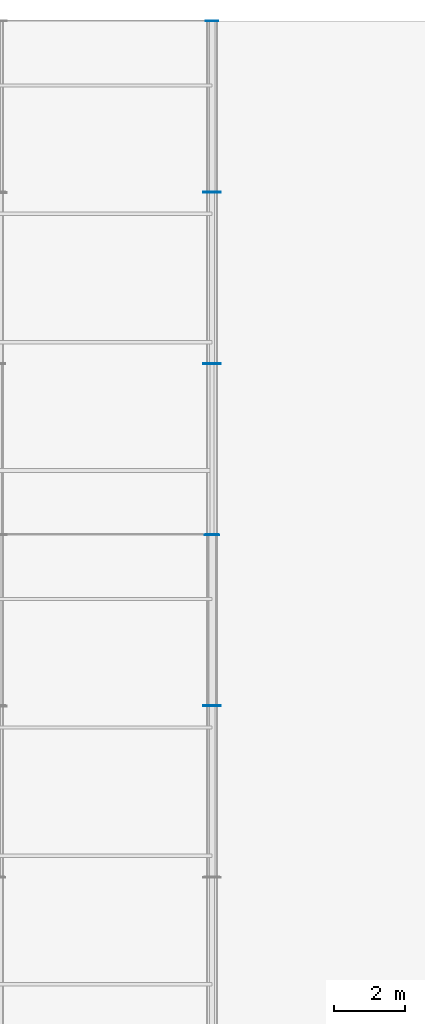
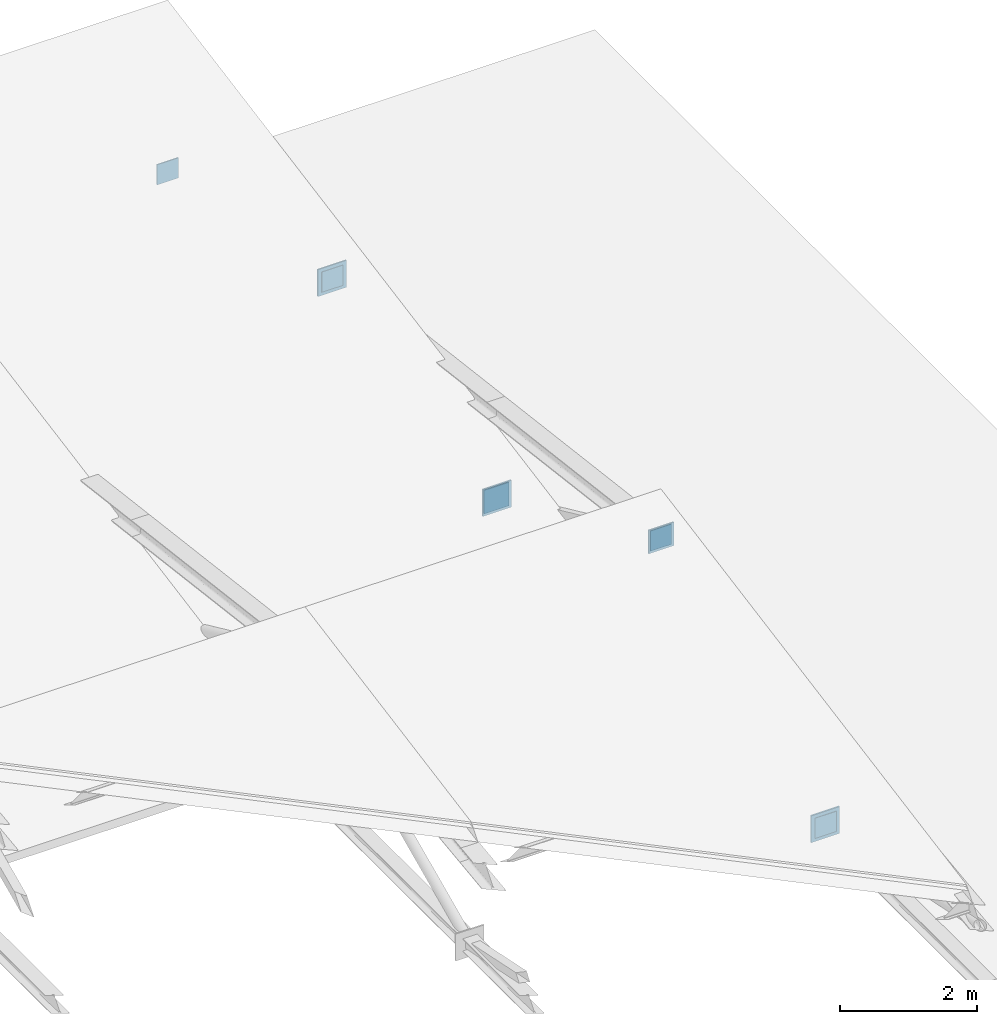
# One storey, part 19 of 32: 9 plates.
"""IFC4 building model written with IfcOpenShell, lengths in metres."""

from ifc_helpers import new_model, si_unit, direction, frame, origin, origin_2d, place, context, subcontext, project, spatial, rectangle, extrude, material, layer, layer_set, type_object, element, save


model = new_model("IFC4")

# Units and contexts
model_context = context("Model", 3, precision=1e-05, world=origin(), true_north=direction((0.0, 1.0)))
body_context = subcontext(model_context, "Body", "Model", "MODEL_VIEW")
ifc_project = project(units=[si_unit("LENGTHUNIT", "METRE"), si_unit("AREAUNIT", "SQUARE_METRE"), si_unit("VOLUMEUNIT", "CUBIC_METRE"), si_unit("PLANEANGLEUNIT", "RADIAN"), si_unit("MASSUNIT", "GRAM", prefix="KILO")], contexts=[model_context])

# Site, building, storey
site_placement = place(None, origin())
site = spatial("IfcSite", under=ifc_project, at=site_placement, CompositionType="ELEMENT")
building_placement = place(site_placement, origin())
building = spatial("IfcBuilding", under=site, at=building_placement, Name="Brisavento Harbour Community Centre", CompositionType="ELEMENT")
storey_placement = place(building_placement, frame((0.0, 0.0, 12.89990234375)))
storey = spatial("IfcBuildingStorey", under=building, at=storey_placement, Name="L03", CompositionType="ELEMENT", Elevation=12.89990234375)

# Plates
ifc_material = material(Name="Steel S355", Category="steel")
ifc_layer_1 = layer(ifc_material, 0.01611328125, Name="Steel S355")
ifc_layer_set_1 = layer_set([ifc_layer_1], Name="Steel S355")
plate_type_1 = type_object("IfcPlateType", Name="PLT-GUS-1", PredefinedType="USERDEFINED", material=ifc_layer_set_1)
for number, where, z_axis, x_axis, name in (
    (1, (165.60009765625, 95.996337890625, -0.181640625), (0.0, 0.0, 1.0), (0.0, 1.0, 0.0), "V4-TR7-DG3 hollow-end cap plate 1"),
    (2, (165.60009765625, 100.8037109375, 2.021484375), (0.0, 0.0, 1.0), (0.0, 1.0, 0.0), "V4-TR7-DG3 hollow-end cap plate 2"),
    (3, (165.60009765625, 110.39599609375, 0.82080078125), (0.0, 0.0, 1.0), (0.0, 1.0, 0.0), "V4-TR7-DG6 hollow-end cap plate 1"),
    (4, (165.60009765625, 115.203857421875, -0.1806640625), (0.0, 0.0, 1.0), (0.0, 1.0, 0.0), "V4-TR7-DG6 hollow-end cap plate 2"),
):
    element("IfcPlate", number, at=place(storey_placement, frame(where, z_axis=z_axis, x_axis=x_axis)), inside=storey, type_object=plate_type_1, Name=name, ObjectType="GUSSET PLATE", PredefinedType="USERDEFINED", context=body_context, shape_type="SweptSolid", body=[
        extrude(rectangle(XDim=0.01611328125, YDim=0.360107421875, at=origin_2d()), origin(), (0.0, 0.0, 1.0), 0.360107421875),
    ])
ifc_layer_2 = layer(ifc_material, 0.02001953125, Name="Steel S355")
ifc_layer_set_2 = layer_set([ifc_layer_2], Name="Steel S355")
plate_type_2 = type_object("IfcPlateType", Name="PLT-GUS-2", PredefinedType="USERDEFINED", material=ifc_layer_set_2)
for number, where, z_axis, x_axis, name in (
    (5, (165.60009765625, 100.79541015625, 1.9921875), (0.0, 0.0, 1.0), (0.0, 1.0, 0.0), "V4-TR7-DG4 hollow-end cap plate 1"),
    (6, (165.60009765625, 105.6044921875, -0.2119140625), (0.0, 0.0, 1.0), (0.0, 1.0, 0.0), "V4-TR7-DG4 hollow-end cap plate 2"),
):
    element("IfcPlate", number, at=place(storey_placement, frame(where, z_axis=z_axis, x_axis=x_axis)), inside=storey, type_object=plate_type_2, Name=name, ObjectType="GUSSET PLATE", PredefinedType="USERDEFINED", context=body_context, shape_type="SweptSolid", body=[
        extrude(rectangle(XDim=0.02001953125, YDim=0.419921875, at=origin_2d()), origin(), (0.0, 0.0, 1.0), 0.419921875),
    ])
ifc_layer_3 = layer(ifc_material, 0.02392578125, Name="Steel S355")
ifc_layer_set_3 = layer_set([ifc_layer_3], Name="Steel S355")
plate_type_3 = type_object("IfcPlateType", Name="PLT-GUS-3", PredefinedType="USERDEFINED", material=ifc_layer_set_3)
for number, where, z_axis, x_axis, name in (
    (7, (165.60009765625, 96.005859375, -0.2412109375), (0.0, 0.0, 1.0), (0.0, 1.0, 0.0), "V4-TR7-DG2 hollow-end cap plate 2"),
    (8, (165.60009765625, 105.59423828125, -0.2412109375), (0.0, 0.0, 1.0), (0.0, 1.0, 0.0), "V4-TR7-DG5 hollow-end cap plate 1"),
    (9, (165.60009765625, 110.40576171875, 0.76123046875), (0.0, 0.0, 1.0), (0.0, 1.0, 0.0), "V4-TR7-DG5 hollow-end cap plate 2"),
):
    element("IfcPlate", number, at=place(storey_placement, frame(where, z_axis=z_axis, x_axis=x_axis)), inside=storey, type_object=plate_type_3, Name=name, ObjectType="GUSSET PLATE", PredefinedType="USERDEFINED", context=body_context, shape_type="SweptSolid", body=[
        extrude(rectangle(XDim=0.02392578125, YDim=0.47998046875, at=origin_2d()), origin(), (0.0, 0.0, 1.0), 0.47998046875),
    ])

save(model, "model.ifc")
